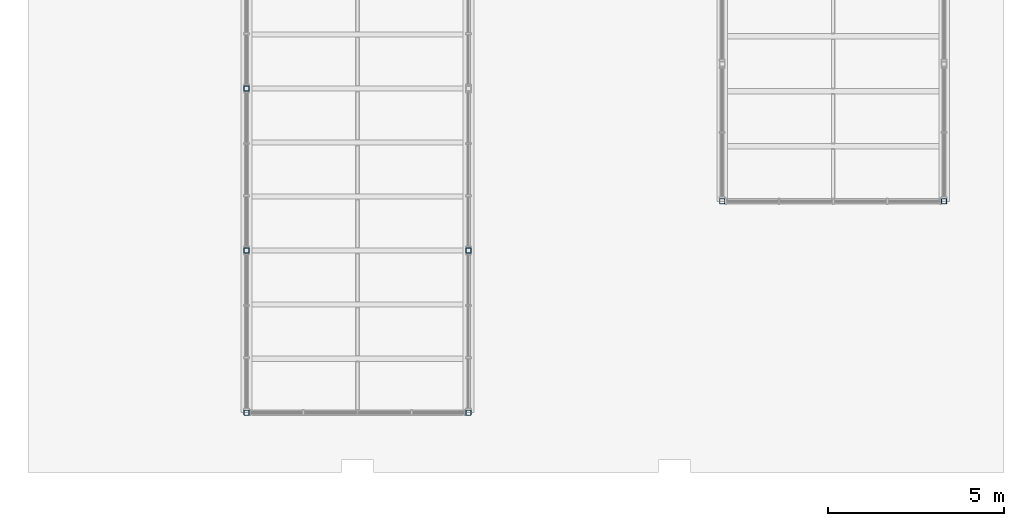
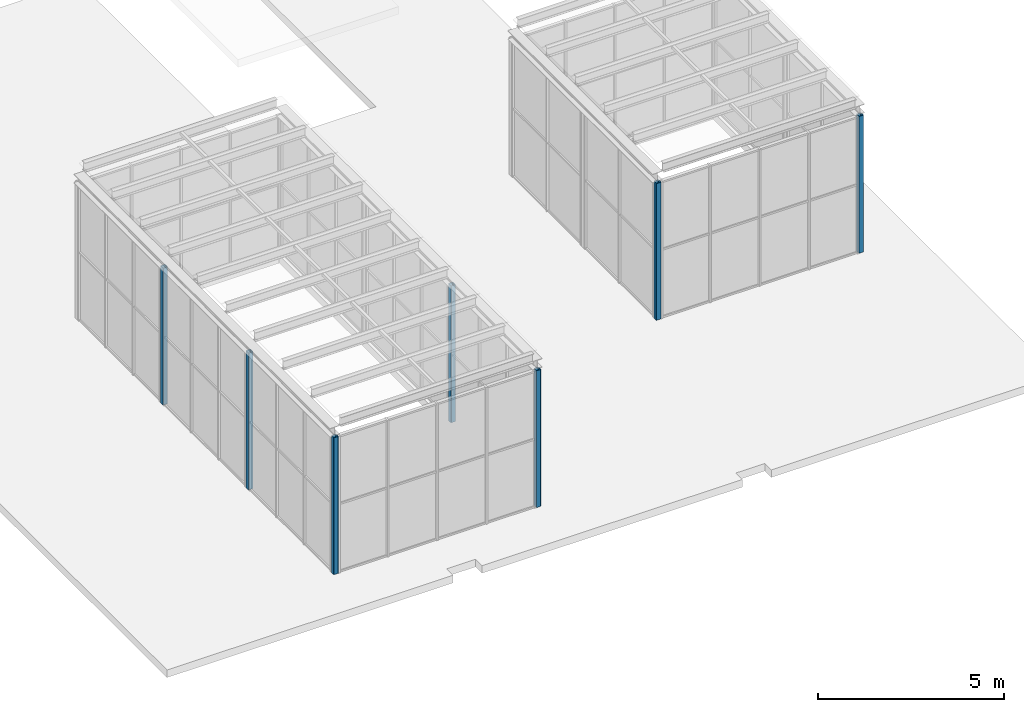
# One storey, part 2 of 25: 7 columns.
"""IFC4 building model written with IfcOpenShell, lengths in metres."""

from ifc_helpers import new_model, si_unit, direction, frame, origin, origin_2d, place, context, subcontext, project, spatial, hollow_rectangle, extrude, material, material_profile, profile_set, type_object, element, save


model = new_model("IFC4")

# Units and contexts
model_context = context("Model", 3, precision=1e-05, world=origin(), true_north=direction((0.0, 1.0)))
body_context = subcontext(model_context, "Body", "Model", "MODEL_VIEW")
ifc_project = project(units=[si_unit("LENGTHUNIT", "METRE"), si_unit("AREAUNIT", "SQUARE_METRE"), si_unit("VOLUMEUNIT", "CUBIC_METRE"), si_unit("PLANEANGLEUNIT", "RADIAN"), si_unit("MASSUNIT", "GRAM", prefix="KILO")], contexts=[model_context])

# Site, building, storey
site_placement = place(None, origin())
site = spatial("IfcSite", under=ifc_project, at=site_placement, CompositionType="ELEMENT")
building_placement = place(site_placement, origin())
building = spatial("IfcBuilding", under=site, at=building_placement, Name="Aurelan Courthouse", CompositionType="ELEMENT")
storey_placement = place(building_placement, frame((0.0, 0.0, 44.39990234375)))
storey = spatial("IfcBuildingStorey", under=building, at=storey_placement, Name="L08", CompositionType="ELEMENT", Elevation=44.39990234375)

# Columns
ifc_material = material(Name="Steel S355", Category="steel")
ifc_material_profile = material_profile(ifc_material, hollow_rectangle(XDim=0.14990234375, YDim=0.14990234375, WallThickness=0.008056640625, InnerFilletRadius=0.011962890625, OuterFilletRadius=0.02001953125, at=origin_2d()), Name="SHS 150x150x8")
ifc_profile_set = profile_set([ifc_material_profile], Name="Steel S355")
column_type = type_object("IfcColumnType", Name="Lantern post SHS 150x150x8", PredefinedType="COLUMN", material=ifc_profile_set)
for number, where, z_axis, x_axis, name in (
    (1, (41.85009765625, 38.85009765625, 0.0), (0.0, 0.0, 1.0), (1.0, 0.0, 0.0), "Lantern post LX-V21-01"),
    (2, (48.14990234375, 38.85009765625, 0.0), (0.0, 0.0, 1.0), (1.0, 0.0, 0.0), "Lantern post LX-V21-02"),
    (3, (41.85009765625, 43.449951171875, 0.0), (0.0, 0.0, 1.0), (1.0, 0.0, 0.0), "Lantern post LX-V21-03"),
    (4, (48.14990234375, 43.449951171875, 0.0), (0.0, 0.0, 1.0), (1.0, 0.0, 0.0), "Lantern post LX-V21-04"),
    (5, (41.85009765625, 48.050048828125, 0.0), (0.0, 0.0, 1.0), (1.0, 0.0, 0.0), "Lantern post LX-V21-05"),
    (6, (55.35009765625, 44.85009765625, 0.0), (0.0, 0.0, 1.0), (1.0, 0.0, 0.0), "Lantern post LX-V22-01"),
    (7, (61.64990234375, 44.85009765625, 0.0), (0.0, 0.0, 1.0), (1.0, 0.0, 0.0), "Lantern post LX-V22-02"),
):
    element("IfcColumn", number, at=place(storey_placement, frame(where, z_axis=z_axis, x_axis=x_axis)), inside=storey, type_object=column_type, Name=name, PredefinedType="COLUMN", context=body_context, shape_type="SweptSolid", body=[
        extrude(hollow_rectangle(XDim=0.14990234375, YDim=0.14990234375, WallThickness=0.008056640625, InnerFilletRadius=0.011962890625, OuterFilletRadius=0.02001953125, at=origin_2d()), origin(), (0.0, 0.0, 1.0), 4.5),
    ])

save(model, "model.ifc")
